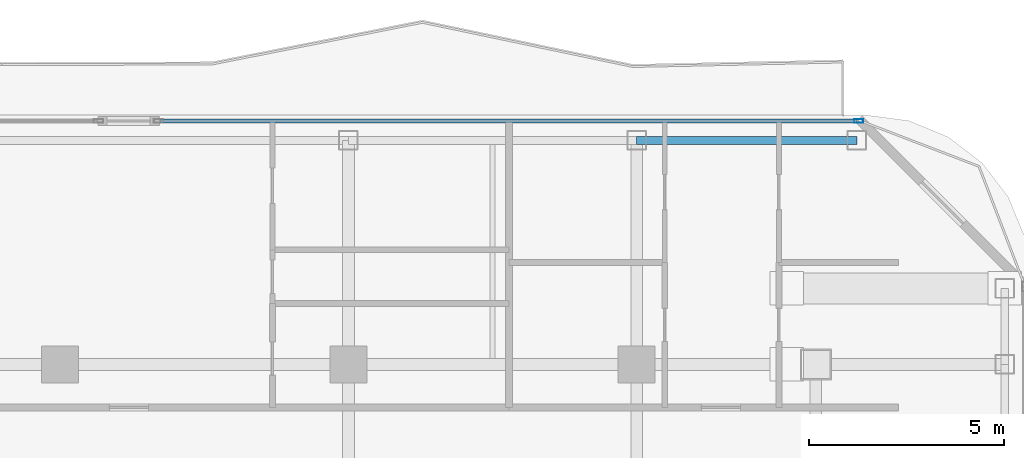
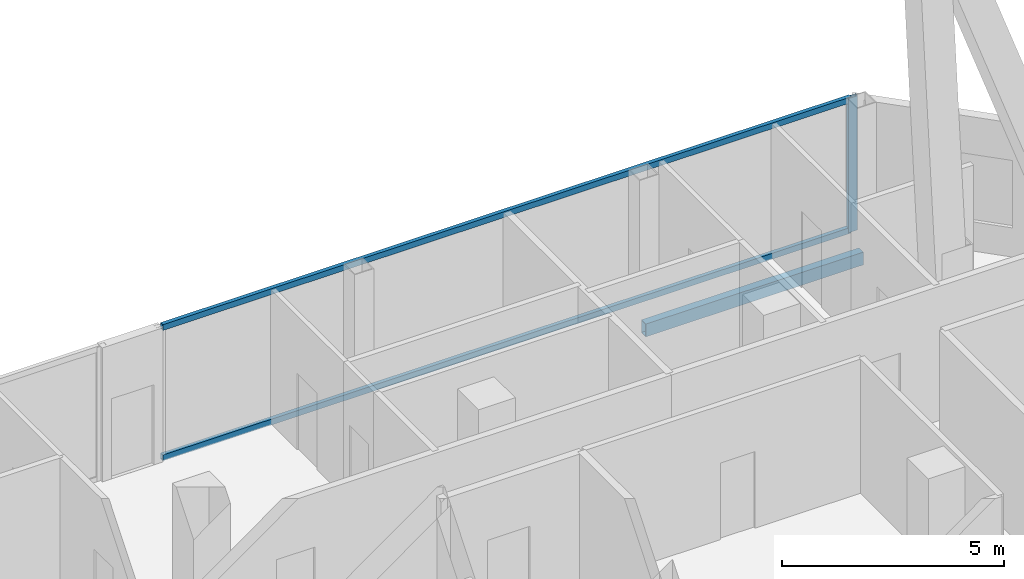
# One storey, part 17 of 27: 3 members, 1 beam, 1 element without a shape of its own.
"""IFC4 building model written with IfcOpenShell, lengths in metres."""

from ifc_helpers import new_model, si_unit, direction, frame, origin, origin_2d, place, context, subcontext, project, spatial, hollow_rectangle, extrude, material, layer, layer_set, material_profile, profile_set, type_object, element, aggregate, save


model = new_model("IFC4")

# Units and contexts
model_context = context("Model", 3, precision=1e-05, world=origin(), true_north=direction((0.0, 1.0)))
body_context = subcontext(model_context, "Body", "Model", "MODEL_VIEW")
ifc_project = project(units=[si_unit("LENGTHUNIT", "METRE"), si_unit("AREAUNIT", "SQUARE_METRE"), si_unit("VOLUMEUNIT", "CUBIC_METRE"), si_unit("PLANEANGLEUNIT", "RADIAN"), si_unit("MASSUNIT", "GRAM", prefix="KILO")], contexts=[model_context])

# Site, building, storey
site_placement = place(None, origin())
site = spatial("IfcSite", under=ifc_project, at=site_placement, CompositionType="ELEMENT")
building_placement = place(site_placement, origin())
building = spatial("IfcBuilding", under=site, at=building_placement, Name="Khorvyn Point Tower", CompositionType="ELEMENT")
storey_placement = place(building_placement, frame((0.0, 0.0, 270.300048828125)))
storey = spatial("IfcBuildingStorey", under=building, at=storey_placement, Name="L66", CompositionType="ELEMENT", Elevation=270.300048828125)

# Curtain wall, members
ifc_material_1 = material(Name="Anodised aluminium 6063-T6 and laminated Low-E glass", Category="aluminium")
ifc_layer = layer(ifc_material_1, 0.18994140625)
ifc_layer_set = layer_set([ifc_layer], Name="Stick-Built High-Wind Curtain Wall CW-SYS-04")
curtain_wall_type = type_object("IfcCurtainWallType", Name="Stick-Built High-Wind Curtain Wall CW-SYS-04", PredefinedType="NOTDEFINED", material=ifc_layer_set)
curtain_wall_placement = place(storey_placement, origin())
curtain_wall = element("IfcCurtainWall", 1, at=curtain_wall_placement, inside=storey, type_object=curtain_wall_type, Name="Curtain Wall", PredefinedType="NOTDEFINED")
ifc_material_2 = material(Name="Anodised aluminium 6063-T6", Category="aluminium")
ifc_material_profile_1 = material_profile(ifc_material_2, hollow_rectangle(XDim=0.10009765625, YDim=0.239990234375, WallThickness=0.0048828125, at=origin_2d()))
ifc_profile_set_1 = profile_set([ifc_material_profile_1], Name="Anodised aluminium 6063-T6 ALU-MUL-100x240")
member_type_1 = type_object("IfcMemberType", Name="Anodised Aluminium 6063-T6 Mullion ALU-MUL-100x240", PredefinedType="MULLION", material=ifc_profile_set_1)
member_1_placement = place(storey_placement, frame((20.5, 21.050048828125, 0.0), z_axis=(0.0, 0.0, 1.0), x_axis=(0.0, 1.0, 0.0)))
member_1 = element("IfcMember", 2, at=member_1_placement, type_object=member_type_1, Name="Transom", PredefinedType="MULLION", context=body_context, shape_type="SweptSolid", body=[
    extrude(hollow_rectangle(XDim=0.10009765625, YDim=0.239990234375, WallThickness=0.0048828125, at=origin_2d()), origin(), (0.0, 0.0, 1.0), 3.679931640625),
])
ifc_material_profile_2 = material_profile(ifc_material_2, hollow_rectangle(XDim=0.10009765625, YDim=0.159912109375, WallThickness=0.00439453125, at=origin_2d()))
ifc_profile_set_2 = profile_set([ifc_material_profile_2], Name="Anodised aluminium 6063-T6 ALU-TRN-100x160")
member_type_2 = type_object("IfcMemberType", Name="Anodised Aluminium 6063-T6 Transom ALU-TRN-100x160", PredefinedType="USERDEFINED", material=ifc_profile_set_2)
member_2_placement = place(storey_placement, frame((2.576904296875, 21.050048828125, 0.050048828125), z_axis=(1.0, 0.0, 0.0), x_axis=(0.0, 1.0, 0.0)))
member_2 = element("IfcMember", 3, at=member_2_placement, type_object=member_type_2, Name="Transom", ObjectType="TRANSOM", PredefinedType="USERDEFINED", context=body_context, shape_type="SweptSolid", body=[
    extrude(hollow_rectangle(XDim=0.10009765625, YDim=0.159912109375, WallThickness=0.00439453125, at=origin_2d()), origin(), (0.0, 0.0, 1.0), 17.873046875),
])
member_3_placement = place(storey_placement, frame((2.576904296875, 21.050048828125, 3.6298828125), z_axis=(1.0, 0.0, 0.0), x_axis=(0.0, 1.0, 0.0)))
member_3 = element("IfcMember", 4, at=member_3_placement, type_object=member_type_2, Name="Transom", ObjectType="TRANSOM", PredefinedType="USERDEFINED", context=body_context, shape_type="SweptSolid", body=[
    extrude(hollow_rectangle(XDim=0.10009765625, YDim=0.159912109375, WallThickness=0.00439453125, at=origin_2d()), origin(), (0.0, 0.0, 1.0), 17.873046875),
])
aggregate(curtain_wall, [member_1, member_2, member_3])

# Beam
ifc_material_3 = material(Name="Steel S355", Category="steel")
ifc_material_profile_3 = material_profile(ifc_material_3, hollow_rectangle(XDim=0.199951171875, YDim=0.35009765625, WallThickness=0.013916015625, at=origin_2d()))
ifc_profile_set_3 = profile_set([ifc_material_profile_3], Name="Steel S355 RHS350x200x14")
beam_type = type_object("IfcBeamType", Name="Steel S355 Spandrel RHS350x200x14", PredefinedType="SPANDREL", material=ifc_profile_set_3)
beam_placement = place(storey_placement, frame((14.800048828125, 20.550048828125, -0.39501953125), z_axis=(1.0, 0.0, 0.0), x_axis=(0.0, 1.0, 0.0)))
element("IfcBeam", 5, at=beam_placement, inside=storey, type_object=beam_type, Name="Beam", PredefinedType="SPANDREL", context=body_context, shape_type="SweptSolid", body=[
    extrude(hollow_rectangle(XDim=0.199951171875, YDim=0.35009765625, WallThickness=0.013916015625, at=origin_2d()), origin(), (0.0, 0.0, 1.0), 5.64990234375),
])

save(model, "model.ifc")
